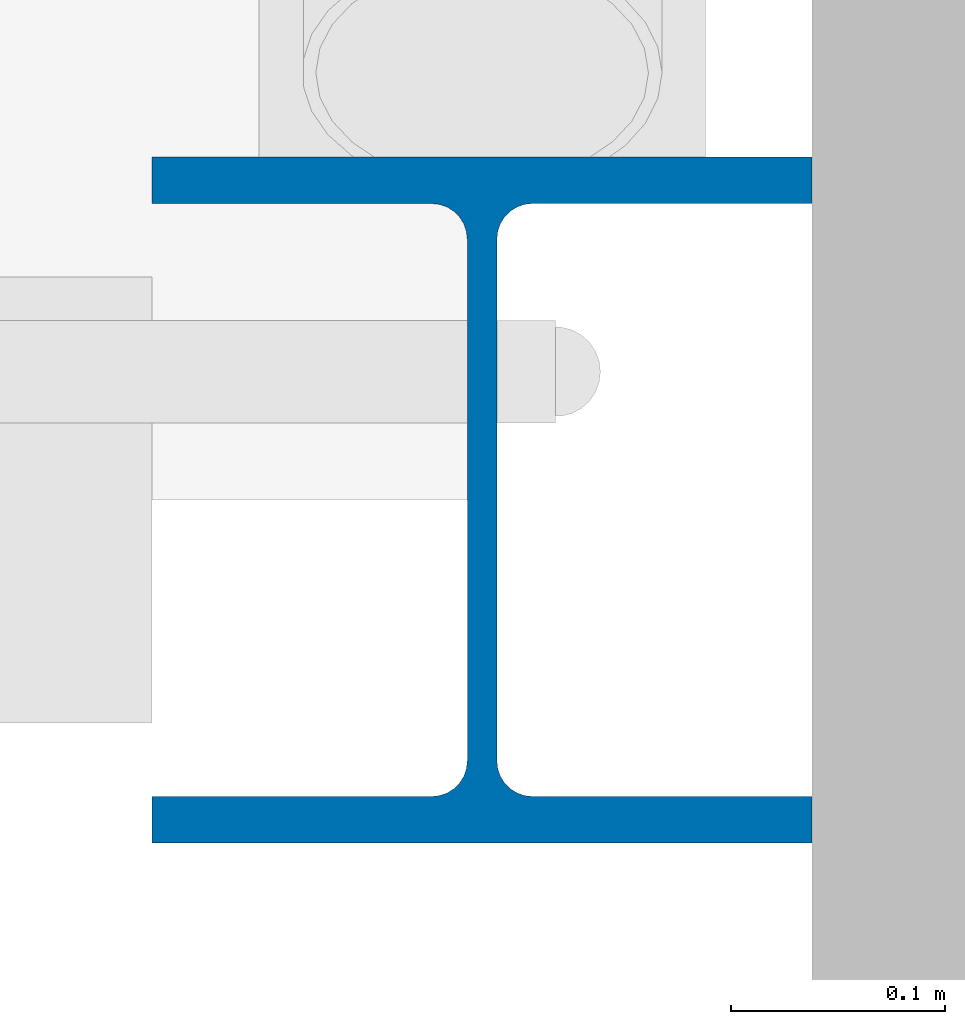
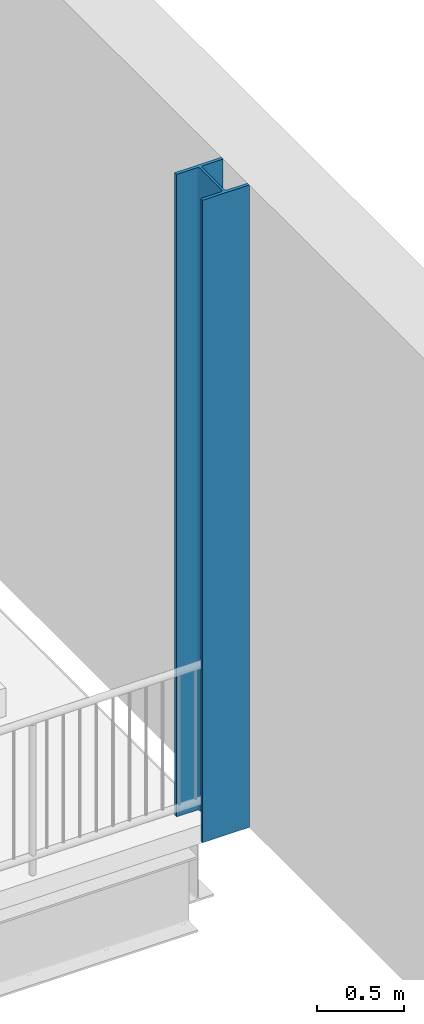
# One storey, part 8 of 74: 1 column.
"""IFC4 building model written with IfcOpenShell, lengths in metres."""

from ifc_helpers import new_model, si_unit, direction, frame, origin, origin_2d, place, context, subcontext, project, spatial, i_section, extrude, material, material_profile, profile_set, type_object, element, save


model = new_model("IFC4")

# Units and contexts
model_context = context("Model", 3, precision=1e-05, world=origin(), true_north=direction((0.0, 1.0)))
body_context = subcontext(model_context, "Body", "Model", "MODEL_VIEW")
ifc_project = project(units=[si_unit("LENGTHUNIT", "METRE"), si_unit("AREAUNIT", "SQUARE_METRE"), si_unit("VOLUMEUNIT", "CUBIC_METRE"), si_unit("PLANEANGLEUNIT", "RADIAN"), si_unit("MASSUNIT", "GRAM", prefix="KILO")], contexts=[model_context])

# Site, building, storey
site_placement = place(None, origin())
site = spatial("IfcSite", under=ifc_project, at=site_placement, CompositionType="ELEMENT")
building_placement = place(site_placement, origin())
building = spatial("IfcBuilding", under=site, at=building_placement, Name="Hortulan Conservatory and Botanical Research Centre", CompositionType="ELEMENT")
storey_placement = place(building_placement, frame((0.0, 0.0, 6.0)))
storey = spatial("IfcBuildingStorey", under=building, at=storey_placement, Name="L01", CompositionType="ELEMENT", Elevation=6.0)

# Column
ifc_material = material(Name="Steel Grade 300PLUS (AS/NZS 3679.1, 280 MPa minimum yield)", Category="steel")
ifc_material_profile = material_profile(ifc_material, i_section(OverallWidth=0.30908203125, OverallDepth=0.321044921875, WebThickness=0.013916015625, FlangeThickness=0.021728515625, FilletRadius=0.0166015625, at=origin_2d()), Name="310UC137")
ifc_profile_set = profile_set([ifc_material_profile], Name="Steel Grade 300PLUS (AS/NZS 3679.1, 280 MPa minimum yield)")
column_type = type_object("IfcColumnType", Name="Auditorium Column 310UC137", PredefinedType="COLUMN", material=ifc_profile_set)
column_placement = place(storey_placement, frame((108.0, 54.0, 0.0), z_axis=(0.0, 0.0, 1.0), x_axis=(1.0, 0.0, 0.0)))
element("IfcColumn", 1, at=column_placement, inside=storey, type_object=column_type, Name="310UC137 column", PredefinedType="COLUMN", context=body_context, shape_type="SweptSolid", body=[
    extrude(i_section(OverallWidth=0.30908203125, OverallDepth=0.321044921875, WebThickness=0.013916015625, FlangeThickness=0.021728515625, FilletRadius=0.0166015625, at=origin_2d()), origin(), (0.0, 0.0, 1.0), 4.5),
])

save(model, "model.ifc")
